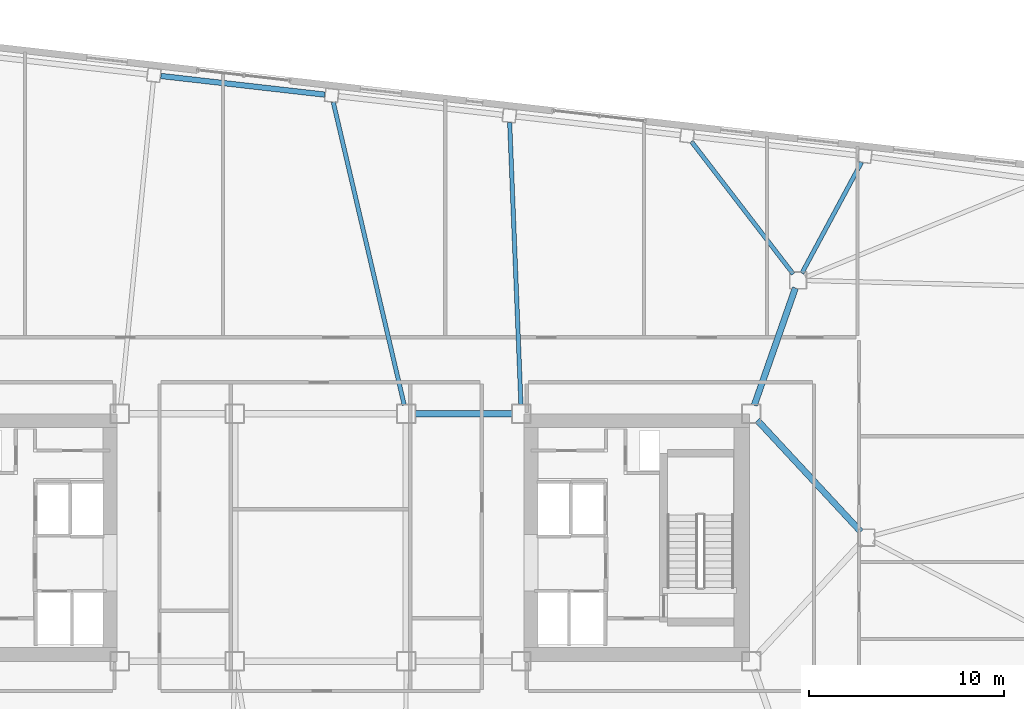
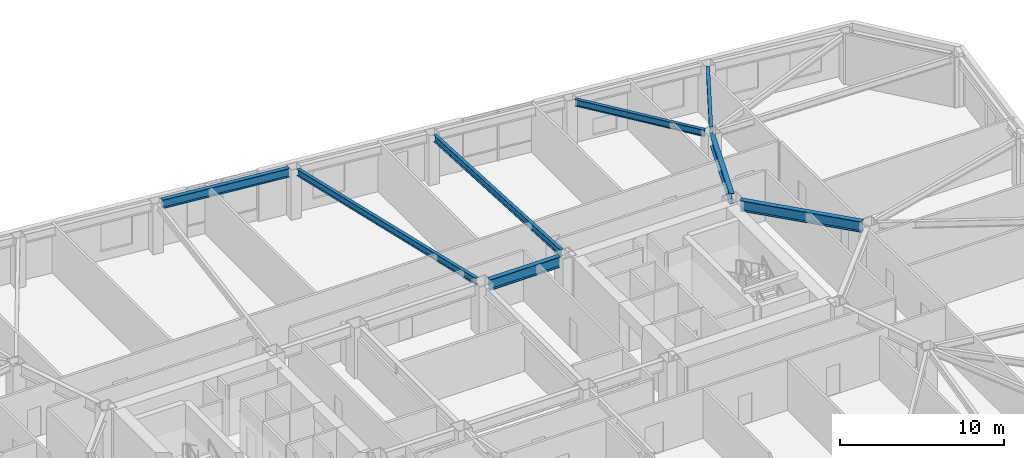
# One storey, part 7 of 20: 8 beams.
"""IFC4 building model written with IfcOpenShell, lengths in metres."""

from ifc_helpers import new_model, si_unit, direction, frame, origin, origin_2d, place, context, subcontext, project, spatial, i_section, extrude, material, material_profile, profile_set, type_object, element, save


model = new_model("IFC4")

# Units and contexts
model_context = context("Model", 3, precision=1e-05, world=origin(), true_north=direction((0.0, 1.0)))
body_context = subcontext(model_context, "Body", "Model", "MODEL_VIEW")
ifc_project = project(units=[si_unit("LENGTHUNIT", "METRE"), si_unit("AREAUNIT", "SQUARE_METRE"), si_unit("VOLUMEUNIT", "CUBIC_METRE"), si_unit("PLANEANGLEUNIT", "RADIAN"), si_unit("MASSUNIT", "GRAM", prefix="KILO")], contexts=[model_context])

# Site, building, storey
site_placement = place(None, origin())
site = spatial("IfcSite", under=ifc_project, at=site_placement, CompositionType="ELEMENT")
building_placement = place(site_placement, origin())
building = spatial("IfcBuilding", under=site, at=building_placement, Name="Tavrogorsk Clinical Tower", CompositionType="ELEMENT")
storey_placement = place(building_placement, frame((0.0, 0.0, 105.39990234375)))
storey = spatial("IfcBuildingStorey", under=building, at=storey_placement, Name="L23", CompositionType="ELEMENT", Elevation=105.39990234375)

# Beams
ifc_material_1 = material(Name="Structural steel S355", Category="steel")
ifc_material_profile_1 = material_profile(ifc_material_1, i_section(OverallWidth=0.219970703125, OverallDepth=0.5, WebThickness=0.012939453125, FlangeThickness=0.02001953125, at=origin_2d()), Name="B-500x220x13x20")
ifc_profile_set_1 = profile_set([ifc_material_profile_1], Name="Structural steel S355")
beam_type_1 = type_object("IfcBeamType", Name="FloorBeam_B500", PredefinedType="BEAM", material=ifc_profile_set_1)
beam_1_placement = place(storey_placement, frame((24.6943359375, 13.56103515625, 3.489990234375), z_axis=(0.473788919736, 0.880638438597, 0.0), x_axis=(-0.880638438597, 0.473788919736, 0.0)))
element("IfcBeam", 1, at=beam_1_placement, inside=storey, type_object=beam_type_1, Name="L23 Radial Floor Beam N2", PredefinedType="BEAM", context=body_context, shape_type="SweptSolid", body=[
    extrude(i_section(OverallWidth=0.219970703125, OverallDepth=0.5, WebThickness=0.012939453125, FlangeThickness=0.02001953125, at=origin_2d()), origin(), (0.0, 0.0, 1.0), 6.462890625),
])
beam_2_placement = place(storey_placement, frame((24.250244140625, 13.525146484375, 3.489990234375), z_axis=(-0.609376288757, 0.792881163038, 0.0), x_axis=(-0.792881163038, -0.609376288757, 0.0)))
element("IfcBeam", 2, at=beam_2_placement, inside=storey, type_object=beam_type_1, Name="L23 Radial Floor Beam N3", PredefinedType="BEAM", context=body_context, shape_type="SweptSolid", body=[
    extrude(i_section(OverallWidth=0.219970703125, OverallDepth=0.5, WebThickness=0.012939453125, FlangeThickness=0.02001953125, at=origin_2d()), origin(), (0.0, 0.0, 1.0), 8.5732421875),
])
beam_3_placement = place(storey_placement, frame((10.28173828125, 6.8095703125, 3.489990234375), z_axis=(-0.039881908424, 0.999204400201, 0.0), x_axis=(-0.999204400201, -0.039881908424, 0.0)))
element("IfcBeam", 3, at=beam_3_placement, inside=storey, type_object=beam_type_1, Name="L23 Radial Floor Beam N4", PredefinedType="BEAM", context=body_context, shape_type="SweptSolid", body=[
    extrude(i_section(OverallWidth=0.219970703125, OverallDepth=0.5, WebThickness=0.012939453125, FlangeThickness=0.02001953125, at=origin_2d()), origin(), (0.0, 0.0, 1.0), 14.48974609375),
])
beam_4_placement = place(storey_placement, frame((4.294921875, 6.7978515625, 3.489990234375), z_axis=(-0.228197667081, 0.973614823603, 0.0), x_axis=(-0.973614823603, -0.228197667081, 0.0)))
element("IfcBeam", 4, at=beam_4_placement, inside=storey, type_object=beam_type_1, Name="L23 Radial Floor Beam N5", PredefinedType="BEAM", context=body_context, shape_type="SweptSolid", body=[
    extrude(i_section(OverallWidth=0.219970703125, OverallDepth=0.5, WebThickness=0.012939453125, FlangeThickness=0.02001953125, at=origin_2d()), origin(), (0.0, 0.0, 1.0), 15.959228515625),
])
ifc_material_2 = material(Name="Structural steel S390", Category="steel")
ifc_material_profile_2 = material_profile(ifc_material_2, i_section(OverallWidth=0.320068359375, OverallDepth=0.800048828125, WebThickness=0.02001953125, FlangeThickness=0.033935546875, at=origin_2d()), Name="B-800x320x20x34")
ifc_profile_set_2 = profile_set([ifc_material_profile_2], Name="Structural steel S390")
beam_type_2 = type_object("IfcBeamType", Name="PrimaryGirder_B800", PredefinedType="USERDEFINED", material=ifc_profile_set_2)
beam_5_placement = place(storey_placement, frame((4.860107421875, 6.35009765625, 3.340087890625), z_axis=(1.0, 0.0, 0.0), x_axis=(0.0, 1.0, 0.0)))
element("IfcBeam", 5, at=beam_5_placement, inside=storey, type_object=beam_type_2, Name="L23 Primary Spine Girder MG-06", ObjectType="GIRDER", PredefinedType="USERDEFINED", context=body_context, shape_type="SweptSolid", body=[
    extrude(i_section(OverallWidth=0.320068359375, OverallDepth=0.800048828125, WebThickness=0.02001953125, FlangeThickness=0.033935546875, at=origin_2d()), origin(), (0.0, 0.0, 1.0), 4.97998046875),
])
beam_6_placement = place(storey_placement, frame((24.364501953125, 12.81298828125, 3.340087890625), z_axis=(-0.330660234815, -0.943749865755, 0.0), x_axis=(0.943749865755, -0.330660234815, 0.0)))
element("IfcBeam", 6, at=beam_6_placement, inside=storey, type_object=beam_type_2, Name="L23 Spine Link Girder OPG-4", ObjectType="GIRDER", PredefinedType="USERDEFINED", context=body_context, shape_type="SweptSolid", body=[
    extrude(i_section(OverallWidth=0.320068359375, OverallDepth=0.800048828125, WebThickness=0.02001953125, FlangeThickness=0.033935546875, at=origin_2d()), origin(), (0.0, 0.0, 1.0), 6.38818359375),
])
beam_7_placement = place(storey_placement, frame((27.720947265625, 0.30029296875, 3.340087890625), z_axis=(-0.680675630035, 0.732584934787, 0.0), x_axis=(-0.732584934787, -0.680675630035, 0.0)))
element("IfcBeam", 7, at=beam_7_placement, inside=storey, type_object=beam_type_2, Name="L23 Spine Link Girder OPG-8", ObjectType="GIRDER", PredefinedType="USERDEFINED", context=body_context, shape_type="SweptSolid", body=[
    extrude(i_section(OverallWidth=0.320068359375, OverallDepth=0.800048828125, WebThickness=0.02001953125, FlangeThickness=0.033935546875, at=origin_2d()), origin(), (0.0, 0.0, 1.0), 7.7978515625),
])
ifc_material_3 = material(Name="Structural steel S390", Category="steel")
ifc_material_profile_3 = material_profile(ifc_material_3, i_section(OverallWidth=0.280029296875, OverallDepth=0.64990234375, WebThickness=0.01611328125, FlangeThickness=0.02490234375, at=origin_2d()), Name="B-650x280x16x25")
ifc_profile_set_3 = profile_set([ifc_material_profile_3], Name="Structural steel S390")
beam_type_3 = type_object("IfcBeamType", Name="SpandrelBeam_B650", PredefinedType="SPANDREL", material=ifc_profile_set_3)
beam_8_placement = place(storey_placement, frame((0.2158203125, 22.724853515625, 3.4150390625), z_axis=(-0.993569819641, 0.113221082395, 0.0), x_axis=(-0.113221082395, -0.993569819641, 0.0)))
element("IfcBeam", 8, at=beam_8_placement, inside=storey, type_object=beam_type_3, Name="L23 Perimeter Spandrel N5-N6", PredefinedType="SPANDREL", context=body_context, shape_type="SweptSolid", body=[
    extrude(i_section(OverallWidth=0.280029296875, OverallDepth=0.64990234375, WebThickness=0.01611328125, FlangeThickness=0.02490234375, at=origin_2d()), origin(), (0.0, 0.0, 1.0), 8.46142578125),
])

save(model, "model.ifc")
